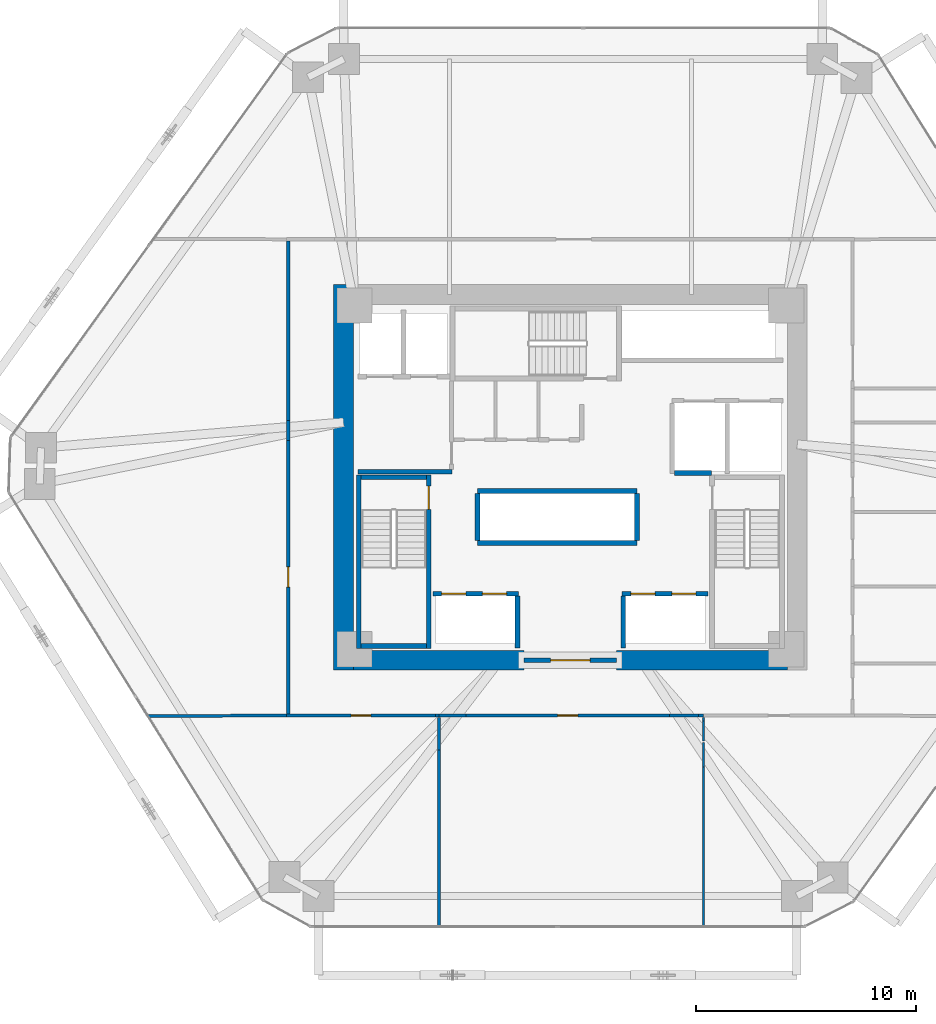
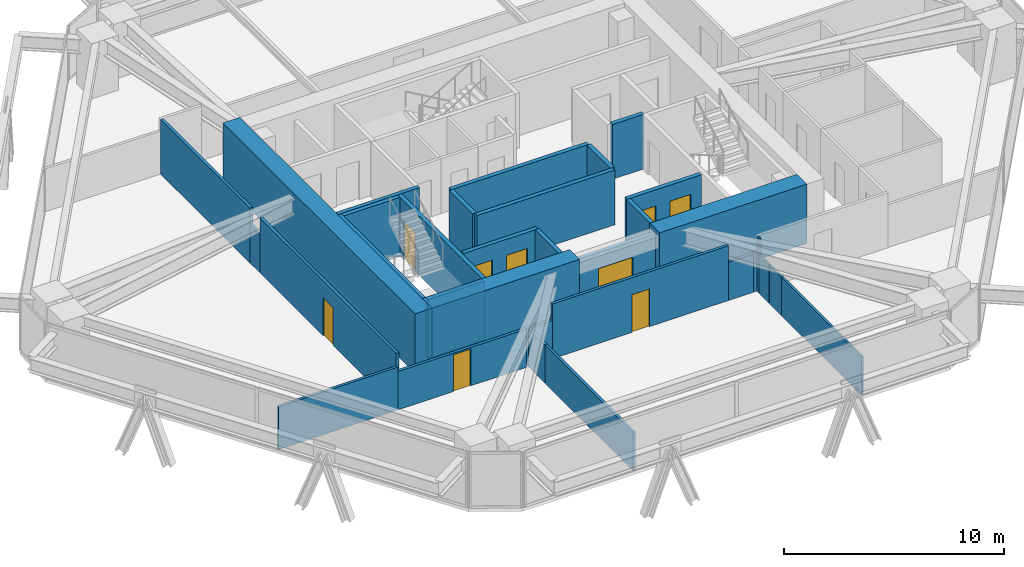
# One storey, part 13 of 16: 34 walls, 9 doors, 9 openings.
"""IFC4 building model written with IfcOpenShell, lengths in metres."""

import ifcopenshell
import ifcopenshell.guid

model = None  # the IFC model being written
_history = None  # IfcOwnerHistory: only IFC2X3 demands one
_inside = {}  # id of a spatial element -> (the spatial element, [elements in it])
_under = {}  # id of a project, library or spatial element -> (it, [spatial elements below it])
_declared = {}  # id of a project -> (the project, [libraries it declares])
_typed = {}  # id of a type object -> (the type object, [elements of that type])
_made_of = {}  # id of a material, layer set ... -> (it, [elements and type objects made of it])


def new_model(schema):
    """Start an empty IFC model of exactly this schema.

    Asked for "IFC4X3", IfcOpenShell would pick the latest addendum, in which some entities
    have other attributes; the version numbers below select the first issue.
    IFC2X3 requires an IfcOwnerHistory on every rooted entity: one is made here for all.
    """
    global model, _history
    if schema == "IFC4X3":
        model = ifcopenshell.file(schema_version=(4, 3, 0, 0))
    else:
        model = ifcopenshell.file(schema=schema)
    _inside.clear()
    _under.clear()
    _declared.clear()
    _typed.clear()
    _made_of.clear()
    _history = None
    if model.schema == "IFC2X3":
        org = make("IfcOrganization", Name="unknown")
        user = make(
            "IfcPersonAndOrganization",
            ThePerson=make("IfcPerson", FamilyName="unknown"),
            TheOrganization=org,
        )
        app = make(
            "IfcApplication",
            ApplicationDeveloper=org,
            Version="unknown",
            ApplicationFullName="unknown",
            ApplicationIdentifier="unknown",
        )
        _history = make(
            "IfcOwnerHistory",
            OwningUser=user,
            OwningApplication=app,
            ChangeAction="ADDED",
            CreationDate=0,
        )
    return model


def make(cls, **values):
    """One entity of the class cls with the attributes given. An attribute that is None is left unset."""
    return model.create_entity(
        cls, **{name: value for name, value in values.items() if value is not None}
    )


def rooted(cls, **values):
    """An entity with a GlobalId (a new one), such as an element, a storey or a relation."""
    return make(cls, GlobalId=ifcopenshell.guid.new(), OwnerHistory=_history, **values)


def si_unit(unit_type, name, prefix=None):
    """IfcSIUnit, for example si_unit("LENGTHUNIT", "METRE", prefix="MILLI")."""
    return make("IfcSIUnit", UnitType=unit_type, Prefix=prefix, Name=name)


def assignment(units):
    """IfcUnitAssignment: the units of a project."""
    return None if units is None else make("IfcUnitAssignment", Units=units)


def point(xyz):
    """IfcCartesianPoint."""
    return None if xyz is None else make("IfcCartesianPoint", Coordinates=xyz)


def direction(xyz):
    """IfcDirection."""
    return None if xyz is None else make("IfcDirection", DirectionRatios=xyz)


def frame(location, z_axis=None, x_axis=None):
    """IfcAxis2Placement3D, a coordinate frame: its origin and axes. An axis left out is left unset."""
    return make(
        "IfcAxis2Placement3D",
        Location=point(location),
        Axis=direction(z_axis),
        RefDirection=direction(x_axis),
    )


def frame_2d(location, x_axis=None):
    """IfcAxis2Placement2D, a coordinate frame in the plane: its origin and x axis."""
    return make(
        "IfcAxis2Placement2D", Location=point(location), RefDirection=direction(x_axis)
    )


def origin():
    """The frame at (0, 0, 0) with its axes left unset."""
    return frame((0.0, 0.0, 0.0))


def place(relative_to, where):
    """IfcLocalPlacement: puts the frame where relative to a parent placement (None: the world)."""
    return make(
        "IfcLocalPlacement", PlacementRelTo=relative_to, RelativePlacement=where
    )


def context(
    kind, dimensions, precision=None, world=None, true_north=None, identifier=None
):
    """IfcGeometricRepresentationContext, for example the 3D "Model" context."""
    return make(
        "IfcGeometricRepresentationContext",
        ContextIdentifier=identifier,
        ContextType=kind,
        CoordinateSpaceDimension=dimensions,
        Precision=precision,
        WorldCoordinateSystem=world,
        TrueNorth=true_north,
    )


def subcontext(parent, identifier, kind, view, scale=None):
    """IfcGeometricRepresentationSubContext, for example "Body" below "Model"."""
    return make(
        "IfcGeometricRepresentationSubContext",
        ContextIdentifier=identifier,
        ContextType=kind,
        ParentContext=parent,
        TargetScale=scale,
        TargetView=view,
    )


def project(units=None, contexts=None):
    """IfcProject with its units and contexts."""
    return rooted(
        "IfcProject",
        Name="project",
        RepresentationContexts=contexts,
        UnitsInContext=assignment(units),
    )


def spatial(cls, under=None, at=None, **own):
    """A site, building, storey or space (cls), placed at a placement, below another one or the project."""
    s = rooted(cls, ObjectPlacement=at, **own)
    if under is not None:
        _under.setdefault(under.id(), (under, []))[1].append(s)
    return s


def profile(cls, at=None, kind="AREA", **sizes):
    """A parametric profile (cls). Its sizes go by their IFC names, for example OverallWidth=200.0."""
    return make(cls, ProfileType=kind, Position=at, **sizes)


def rectangle(**sizes):
    """IfcRectangleProfileDef."""
    return profile("IfcRectangleProfileDef", **sizes)


def extrude(swept, where, along, depth):
    """IfcExtrudedAreaSolid: the profile swept, set in the frame where, extruded along a direction by depth."""
    return make(
        "IfcExtrudedAreaSolid",
        SweptArea=swept,
        Position=where,
        ExtrudedDirection=direction(along),
        Depth=depth,
    )


def shape(context_of_items, identifier, shape_type, items):
    """IfcShapeRepresentation: the items that make up one representation, for example the "Body"."""
    return make(
        "IfcShapeRepresentation",
        ContextOfItems=context_of_items,
        RepresentationIdentifier=identifier,
        RepresentationType=shape_type,
        Items=items,
    )


def source(mapping_origin, context_of_items, identifier, shape_type, items):
    """IfcRepresentationMap: a shape defined once, which mapped items show again and again."""
    return make(
        "IfcRepresentationMap",
        MappingOrigin=mapping_origin,
        MappedRepresentation=shape(context_of_items, identifier, shape_type, items),
    )


def transform(
    local_origin,
    x_axis=None,
    y_axis=None,
    z_axis=None,
    scale=None,
    scale2=None,
    scale3=None,
    uniform=True,
):
    """IfcCartesianTransformationOperator3D, or its non-uniform kind. x_axis, y_axis, z_axis: its Axis1, 2, 3."""
    if uniform:
        return make(
            "IfcCartesianTransformationOperator3D",
            Axis1=direction(x_axis),
            Axis2=direction(y_axis),
            LocalOrigin=point(local_origin),
            Scale=scale,
            Axis3=direction(z_axis),
        )
    return make(
        "IfcCartesianTransformationOperator3DnonUniform",
        Axis1=direction(x_axis),
        Axis2=direction(y_axis),
        LocalOrigin=point(local_origin),
        Scale=scale,
        Axis3=direction(z_axis),
        Scale2=scale2,
        Scale3=scale3,
    )


def mapped(mapping_source, mapping_target):
    """IfcMappedItem: shows the shape of a source again, moved by a transform."""
    return make(
        "IfcMappedItem", MappingSource=mapping_source, MappingTarget=mapping_target
    )


def material(Name=None, Category=None):
    """IfcMaterial."""
    return make("IfcMaterial", Name=Name, Category=Category)


def layer(
    of_material, thickness, ventilated=None, Name=None, Category=None, Priority=None
):
    """IfcMaterialLayer: one layer of a wall or slab, of a material (None: an air gap)."""
    return make(
        "IfcMaterialLayer",
        Material=of_material,
        LayerThickness=thickness,
        IsVentilated=ventilated,
        Name=Name,
        Category=Category,
        Priority=Priority,
    )


def layer_set(layers, Name=None):
    """IfcMaterialLayerSet."""
    return make("IfcMaterialLayerSet", MaterialLayers=layers, LayerSetName=Name)


def made_of(thing, what):
    """Note that an element or type object is made of a material, layer set ...; save() writes the relation."""
    if what is not None:
        _made_of.setdefault(what.id(), (what, []))[1].append(thing)
    return thing


def type_object(cls, material=None, **own):
    """A type object (cls), such as IfcWallType, which elements share."""
    return made_of(rooted(cls, **own), material)


def type_shapes(of_type, sources):
    """Give a type object the sources (RepresentationMaps) that its elements show as mapped items."""
    of_type.RepresentationMaps = sources


def element(
    cls,
    number,
    at=None,
    inside=None,
    cuts=None,
    type_object=None,
    material=None,
    context=None,
    identifier="Body",
    shape_type=None,
    held_by="IfcProductDefinitionShape",
    body=None,
    shapes=None,
    **own,
):
    """One element of the class cls, such as IfcWall. Its Tag is "e" and its number.

    at: its placement. inside: the storey or other place that contains it. cuts: it is an
    opening in that element (IfcRelVoidsElement). A single representation is given by context,
    identifier, shape_type and body (its items); several are given by shapes. held_by: the class
    of the entity that holds the representations. save() writes the other relations.
    """
    e = rooted(cls, Tag="e%d" % number, ObjectPlacement=at, **own)
    if body is not None:
        shapes = [shape(context, identifier, shape_type, body)]
    if shapes is not None:
        e.Representation = make(held_by, Representations=shapes)
    if inside is not None:
        _inside.setdefault(inside.id(), (inside, []))[1].append(e)
    if cuts is not None:
        rooted(
            "IfcRelVoidsElement", RelatingBuildingElement=cuts, RelatedOpeningElement=e
        )
    if type_object is not None:
        _typed.setdefault(type_object.id(), (type_object, []))[1].append(e)
    return made_of(e, material)


def fill(opening, filler):
    """IfcRelFillsElement: the door or window that sits in an opening."""
    return rooted(
        "IfcRelFillsElement",
        RelatingOpeningElement=opening,
        RelatedBuildingElement=filler,
    )


def aggregate(whole, parts):
    """IfcRelAggregates: a whole, such as a stair, and the parts it consists of."""
    return rooted("IfcRelAggregates", RelatingObject=whole, RelatedObjects=parts)


def save(model, path):
    """Write the relations noted so far, then the file.

    IfcRelAggregates (storeys below a building ...), IfcRelContainedInSpatialStructure (elements
    in a storey), IfcRelDefinesByType, IfcRelAssociatesMaterial and IfcRelDeclares: one each for
    every whole, place, type object, material and project.
    """
    for whole, parts in _under.values():
        aggregate(whole, parts)
    for where, things in _inside.values():
        rooted(
            "IfcRelContainedInSpatialStructure",
            RelatedElements=things,
            RelatingStructure=where,
        )
    for kind, things in _typed.values():
        rooted("IfcRelDefinesByType", RelatedObjects=things, RelatingType=kind)
    for what, things in _made_of.values():
        rooted("IfcRelAssociatesMaterial", RelatedObjects=things, RelatingMaterial=what)
    for by, libraries in _declared.values():
        rooted("IfcRelDeclares", RelatingContext=by, RelatedDefinitions=libraries)
    model.write(path)


model = new_model("IFC4")

# Units and contexts
model_context = context("Model", 3, precision=1e-05, world=origin(), true_north=direction((0.0, 1.0)))
body_context = subcontext(model_context, "Body", "Model", "MODEL_VIEW")
ifc_project = project(units=[si_unit("LENGTHUNIT", "METRE"), si_unit("AREAUNIT", "SQUARE_METRE"), si_unit("VOLUMEUNIT", "CUBIC_METRE"), si_unit("PLANEANGLEUNIT", "RADIAN"), si_unit("MASSUNIT", "GRAM", prefix="KILO")], contexts=[model_context])

# Site, building, storey
site_placement = place(None, origin())
site = spatial("IfcSite", under=ifc_project, at=site_placement, CompositionType="ELEMENT")
building_placement = place(site_placement, origin())
building = spatial("IfcBuilding", under=site, at=building_placement, Name="Durnholm Broadcast Tower", CompositionType="ELEMENT")
storey_placement = place(building_placement, frame((0.0, 0.0, 65.39990234375)))
storey = spatial("IfcBuildingStorey", under=building, at=storey_placement, Name="L16", CompositionType="ELEMENT", Elevation=65.39990234375)

# Walls
ifc_material_1 = material(Name="Concrete C70/85", Category="concrete")
ifc_layer_1 = layer(ifc_material_1, 0.89990234375)
ifc_layer_set_1 = layer_set([ifc_layer_1], Name="Concrete C70/85")
wall_type_1 = type_object("IfcWallType", Name="WALL-CW-900", PredefinedType="SHEAR", material=ifc_layer_set_1)
wall_1_placement = place(storey_placement, frame((-10.300048828125, -8.75, 0.0), z_axis=(0.0, 0.0, 1.0), x_axis=(0.0, 1.0, 0.0)))
element("IfcWall", 1, at=wall_1_placement, inside=storey, type_object=wall_type_1, Name="L16 central core shear wall CW-WEST", PredefinedType="SHEAR", context=body_context, shape_type="SweptSolid", body=[
    extrude(rectangle(XDim=17.5, YDim=0.89990234375, at=frame_2d((8.75, 0.0))), origin(), (0.0, 0.0, 1.0), 3.300048828125),
])
for number, where, z_axis, x_axis, name in (
    (2, (-9.85009765625, -8.300048828125, 0.0), (0.0, 0.0, 1.0), (1.0, 0.0, 0.0), "L16 central core shear wall CW-S1"),
    (3, (2.10009765625, -8.300048828125, 0.0), (0.0, 0.0, 1.0), (1.0, 0.0, 0.0), "L16 central core shear wall CW-S2"),
):
    element("IfcWall", number, at=place(storey_placement, frame(where, z_axis=z_axis, x_axis=x_axis)), inside=storey, type_object=wall_type_1, Name=name, PredefinedType="SHEAR", context=body_context, shape_type="SweptSolid", body=[
        extrude(rectangle(XDim=7.75, YDim=0.89990234375, at=frame_2d((3.875, 0.0))), origin(), (0.0, 0.0, 1.0), 3.300048828125),
    ])

# Wall, opening, door
ifc_material_2 = material(Name="Fire-Rated Gypsum Shaftwall", Category="concrete")
ifc_layer_2 = layer(ifc_material_2, 0.199951171875)
ifc_layer_set_2 = layer_set([ifc_layer_2], Name="Fire-Rated Gypsum Shaftwall")
wall_type_2 = type_object("IfcWallType", Name="WALL-LOB-200", PredefinedType="SOLIDWALL", material=ifc_layer_set_2)
wall_2_placement = place(storey_placement, frame((-2.10009765625, -8.300048828125, 0.0), z_axis=(0.0, 0.0, 1.0), x_axis=(1.0, 0.0, 0.0)))
wall_2 = element("IfcWall", 4, at=wall_2_placement, inside=storey, type_object=wall_type_2, Name="L16 south core lobby fire screen", PredefinedType="SOLIDWALL", context=body_context, shape_type="SweptSolid", body=[
    extrude(rectangle(XDim=4.2001953125, YDim=0.199951171875, at=frame_2d((2.10009765625, 0.0))), origin(), (0.0, 0.0, 1.0), 3.045166015625),
])
opening_1_placement = place(wall_2_placement, frame((1.199951171875, 0.0, 0.0)))
opening_1 = element("IfcOpeningElement", 5, at=opening_1_placement, cuts=wall_2, Name="Opening DP-60", PredefinedType="OPENING", context=body_context, shape_type="SweptSolid", body=[
    extrude(rectangle(XDim=1.800048828125, YDim=2.14990234375, at=frame_2d((0.89990234375, 1.074951171875))), frame((0.0, 0.10986328125, 0.0), z_axis=(0.0, -1.0, 0.0), x_axis=(1.0, 0.0, 0.0)), (0.0, 0.0, 1.0), 0.219970703125),
])
ifc_material_3 = material(Name="Fire-Rated Double Corridor Door", Category="steel")
ifc_layer_3 = layer(ifc_material_3, 0.050048828125)
ifc_layer_set_3 = layer_set([ifc_layer_3], Name="Fire-Rated Double Corridor Door")
door_type_1 = type_object("IfcDoorType", Name="DOOR-PAIR-FD60", OperationType="DOUBLE_DOOR_SINGLE_SWING", PredefinedType="DOOR", material=ifc_layer_set_3)
shared_shape_1 = source(origin(), body_context, "Body", "SweptSolid", [
    extrude(rectangle(XDim=1.800048828125, YDim=2.14990234375, at=frame_2d((0.89990234375, 1.074951171875))), frame((0.0, 0.02490234375, 0.0), z_axis=(0.0, -1.0, 0.0), x_axis=(1.0, 0.0, 0.0)), (0.0, 0.0, 1.0), 0.050048828125),
])
type_shapes(door_type_1, [shared_shape_1])
door_1_placement = place(opening_1_placement, origin())
door_1 = element("IfcDoor", 6, at=door_1_placement, inside=storey, type_object=door_type_1, Name="L16 south core lobby double fire door", OperationType="DOUBLE_DOOR_SINGLE_SWING", OverallHeight=2.14990234375, OverallWidth=1.800048828125, PredefinedType="DOOR", context=body_context, shape_type="MappedRepresentation", body=[
    mapped(shared_shape_1, transform((0.0, 0.0, 0.0), x_axis=(1.0, 0.0, 0.0), y_axis=(0.0, 1.0, 0.0), z_axis=(0.0, 0.0, 1.0), scale=1.0)),
])
fill(opening_1, door_1)

# Walls
wall_3_placement = place(storey_placement, frame((-9.64990234375, 0.25, 0.0), z_axis=(0.0, 0.0, 1.0), x_axis=(1.0, 0.0, 0.0)))
element("IfcWall", 7, at=wall_3_placement, inside=storey, type_object=wall_type_2, Name="L16 Fire Service Access Elevator lobby south wall", PredefinedType="SOLIDWALL", context=body_context, shape_type="SweptSolid", body=[
    extrude(rectangle(XDim=4.27001953125, YDim=0.199951171875, at=frame_2d((2.135009765625, 0.0))), origin(), (0.0, 0.0, 1.0), 3.045166015625),
])
ifc_material_4 = material(Name="Operable Acoustic Panel Partition", Category="aluminium")
ifc_layer_4 = layer(ifc_material_4, 0.110107421875)
ifc_layer_set_4 = layer_set([ifc_layer_4], Name="Operable Acoustic Panel Partition")
wall_type_3 = type_object("IfcWallType", Name="WALL-MOV-110", PredefinedType="MOVABLE", material=ifc_layer_set_4)
wall_4_placement = place(storey_placement, frame((6.0400390625, -10.888916015625, 0.0), z_axis=(0.0, 0.0, 1.0), x_axis=(0.0, -1.0, 0.0)))
element("IfcWall", 8, at=wall_4_placement, inside=storey, type_object=wall_type_3, Name="L16 room dividing partition 9.10", PredefinedType="MOVABLE", context=body_context, shape_type="SweptSolid", body=[
    extrude(rectangle(XDim=0.17333984375, YDim=0.110107421875, at=frame_2d((0.086669921875, 0.0))), origin(), (0.0, 0.0, 1.0), 3.045166015625),
])
wall_5_placement = place(storey_placement, frame((6.0400390625, -13.137451171875, 0.0), z_axis=(0.0, 0.0, 1.0), x_axis=(0.0, -1.0, 0.0)))
element("IfcWall", 9, at=wall_5_placement, inside=storey, type_object=wall_type_3, Name="L16 room dividing partition 9.10", PredefinedType="MOVABLE", context=body_context, shape_type="SweptSolid", body=[
    extrude(rectangle(XDim=7.262451171875, YDim=0.110107421875, at=frame_2d((3.63134765625, 0.0))), origin(), (0.0, 0.0, 1.0), 2.130126953125),
])
wall_6_placement = place(storey_placement, frame((6.0400390625, -11.062255859375, 0.0), z_axis=(0.0, 0.0, 1.0), x_axis=(0.0, -1.0, 0.0)))
element("IfcWall", 10, at=wall_6_placement, inside=storey, type_object=wall_type_3, Name="L16 room dividing partition 9.10", PredefinedType="MOVABLE", context=body_context, shape_type="SweptSolid", body=[
    extrude(rectangle(XDim=0.912841796875, YDim=0.110107421875, at=frame_2d((0.45654296875, 0.0))), origin(), (0.0, 0.0, 1.0), 2.130126953125),
])
wall_7_placement = place(storey_placement, frame((6.0400390625, -12.043212890625, 0.0), z_axis=(0.0, 0.0, 1.0), x_axis=(0.0, -1.0, 0.0)))
element("IfcWall", 11, at=wall_7_placement, inside=storey, type_object=wall_type_3, Name="L16 room dividing partition 9.10", PredefinedType="MOVABLE", context=body_context, shape_type="SweptSolid", body=[
    extrude(rectangle(XDim=1.09423828125, YDim=0.110107421875, at=frame_2d((0.547119140625, 0.0))), origin(), (0.0, 0.0, 1.0), 2.130126953125),
])
ifc_material_5 = material(Name="Gypsum Metal Stud Partition", Category="concrete")
ifc_layer_5 = layer(ifc_material_5, 0.135009765625)
ifc_layer_set_5 = layer_set([ifc_layer_5], Name="Gypsum Metal Stud Partition")
wall_type_4 = type_object("IfcWallType", Name="WALL-PART-135", PredefinedType="PARTITIONING", material=ifc_layer_set_5)
wall_8_placement = place(storey_placement, frame((-5.9599609375, -12.383056640625, 0.0), z_axis=(0.0, 0.0, 1.0), x_axis=(0.0, -1.0, 0.0)))
element("IfcWall", 12, at=wall_8_placement, inside=storey, type_object=wall_type_4, Name="L16 room dividing partition 8.9", PredefinedType="PARTITIONING", context=body_context, shape_type="SweptSolid", body=[
    extrude(rectangle(XDim=8.016845703125, YDim=0.135009765625, at=frame_2d((4.00830078125, 0.0))), origin(), (0.0, 0.0, 1.0), 2.130126953125),
])
wall_9_placement = place(storey_placement, frame((-5.9599609375, -10.888916015625, 0.0), z_axis=(0.0, 0.0, 1.0), x_axis=(0.0, -1.0, 0.0)))
element("IfcWall", 13, at=wall_9_placement, inside=storey, type_object=wall_type_4, Name="L16 room dividing partition 8.9", PredefinedType="PARTITIONING", context=body_context, shape_type="SweptSolid", body=[
    extrude(rectangle(XDim=1.494140625, YDim=0.135009765625, at=frame_2d((0.7470703125, 0.0))), origin(), (0.0, 0.0, 1.0), 2.130126953125),
])
wall_10_placement = place(storey_placement, frame((-19.18212890625, -10.831298828125, 0.0), z_axis=(0.0, 0.0, 1.0), x_axis=(0.999994432845, 0.003336806783, 0.0)))
element("IfcWall", 14, at=wall_10_placement, inside=storey, type_object=wall_type_4, Name="L16 room dividing partition 8.11", PredefinedType="PARTITIONING", context=body_context, shape_type="SweptSolid", body=[
    extrude(rectangle(XDim=6.292236328125, YDim=0.135009765625, at=frame_2d((3.14599609375, 0.0))), origin(), (0.0, 0.0, 1.0), 2.380126953125),
])

# Wall, opening, door
ifc_material_6 = material(Name="Acoustic Gypsum Stud Partition", Category="concrete")
ifc_layer_6 = layer(ifc_material_6, 0.14990234375)
ifc_layer_set_6 = layer_set([ifc_layer_6], Name="Acoustic Gypsum Stud Partition")
wall_type_5 = type_object("IfcWallType", Name="WALL-PART-150", PredefinedType="PARTITIONING", material=ifc_layer_set_6)
wall_11_placement = place(storey_placement, frame((-12.889892578125, -10.81005859375, 0.0), z_axis=(0.0, 0.0, 1.0), x_axis=(1.0, 0.0, 0.0)))
wall_11 = element("IfcWall", 15, at=wall_11_placement, inside=storey, type_object=wall_type_5, Name="L16 Open Plan Broadcast Workspace 3 corridor partition", PredefinedType="PARTITIONING", context=body_context, shape_type="SweptSolid", body=[
    extrude(rectangle(XDim=6.768310546875, YDim=0.14990234375, at=frame_2d((3.38427734375, 0.0))), origin(), (0.0, 0.0, 1.0), 2.130126953125),
])
opening_2_placement = place(wall_11_placement, frame((2.93408203125, 0.0, 0.0)))
opening_2 = element("IfcOpeningElement", 16, at=opening_2_placement, cuts=wall_11, Name="Opening DW-90R", PredefinedType="OPENING", context=body_context, shape_type="SweptSolid", body=[
    extrude(rectangle(XDim=0.89990234375, YDim=2.050048828125, at=frame_2d((0.449951171875, 1.02490234375))), frame((0.0, 0.0849609375, 0.0), z_axis=(0.0, -1.0, 0.0), x_axis=(1.0, 0.0, 0.0)), (0.0, 0.0, 1.0), 0.169921875),
])
ifc_material_7 = material(Name="Laminate Restroom Door", Category="steel")
ifc_layer_7 = layer(ifc_material_7, 0.050048828125)
ifc_layer_set_7 = layer_set([ifc_layer_7], Name="Laminate Restroom Door")
door_type_2 = type_object("IfcDoorType", Name="DOOR-WC-900R", OperationType="NOTDEFINED", PredefinedType="DOOR", material=ifc_layer_set_7)
shared_shape_2 = source(origin(), body_context, "Body", "SweptSolid", [
    extrude(rectangle(XDim=0.89990234375, YDim=2.050048828125, at=frame_2d((0.449951171875, 1.02490234375))), frame((0.0, 0.02490234375, 0.0), z_axis=(0.0, -1.0, 0.0), x_axis=(1.0, 0.0, 0.0)), (0.0, 0.0, 1.0), 0.050048828125),
])
type_shapes(door_type_2, [shared_shape_2])
door_2_placement = place(opening_2_placement, origin())
door_2 = element("IfcDoor", 17, at=door_2_placement, inside=storey, type_object=door_type_2, Name="L16 Open Plan Broadcast Workspace 3 entrance door", OperationType="SINGLE_SWING_RIGHT", OverallHeight=2.050048828125, OverallWidth=0.89990234375, PredefinedType="DOOR", context=body_context, shape_type="MappedRepresentation", body=[
    mapped(shared_shape_2, transform((0.0, 0.0, 0.0), x_axis=(1.0, 0.0, 0.0), y_axis=(0.0, 1.0, 0.0), z_axis=(0.0, 0.0, 1.0), scale=1.0)),
])
fill(opening_2, door_2)

# Wall
wall_12_placement = place(storey_placement, frame((-6.12158203125, -10.81005859375, 0.0), z_axis=(0.0, 0.0, 1.0), x_axis=(1.0, 0.0, 0.0)))
element("IfcWall", 18, at=wall_12_placement, inside=storey, type_object=wall_type_5, Name="L16 Open Plan Broadcast Workspace 3 corridor partition", PredefinedType="PARTITIONING", context=body_context, shape_type="SweptSolid", body=[
    extrude(rectangle(XDim=0.16162109375, YDim=0.14990234375, at=frame_2d((0.080810546875, 0.0))), origin(), (0.0, 0.0, 1.0), 2.130126953125),
])

# Wall, opening, door
wall_13_placement = place(storey_placement, frame((-4.749755859375, -10.81005859375, 0.0), z_axis=(0.0, 0.0, 1.0), x_axis=(1.0, 0.0, 0.0)))
wall_13 = element("IfcWall", 19, at=wall_13_placement, inside=storey, type_object=wall_type_5, Name="L16 Satellite Briefing Meeting Room corridor partition", PredefinedType="PARTITIONING", context=body_context, shape_type="SweptSolid", body=[
    extrude(rectangle(XDim=9.2490234375, YDim=0.14990234375, at=frame_2d((4.62451171875, 0.0))), origin(), (0.0, 0.0, 1.0), 3.045166015625),
])
opening_3_placement = place(wall_13_placement, frame((4.16455078125, 0.0, 0.0)))
opening_3 = element("IfcOpeningElement", 20, at=opening_3_placement, cuts=wall_13, Name="Opening DR-92L", PredefinedType="OPENING", context=body_context, shape_type="SweptSolid", body=[
    extrude(rectangle(XDim=0.919921875, YDim=2.10009765625, at=frame_2d((0.4599609375, 1.050048828125))), frame((0.0, 0.0849609375, 0.0), z_axis=(0.0, -1.0, 0.0), x_axis=(1.0, 0.0, 0.0)), (0.0, 0.0, 1.0), 0.169921875),
])
ifc_material_8 = material(Name="Oak Veneer Office Door", Category="wood")
ifc_layer_8 = layer(ifc_material_8, 0.050048828125)
ifc_layer_set_8 = layer_set([ifc_layer_8], Name="Oak Veneer Office Door")
door_type_3 = type_object("IfcDoorType", Name="DOOR-RM-920L", OperationType="NOTDEFINED", PredefinedType="DOOR", material=ifc_layer_set_8)
shared_shape_3 = source(origin(), body_context, "Body", "SweptSolid", [
    extrude(rectangle(XDim=0.919921875, YDim=2.10009765625, at=frame_2d((0.4599609375, 1.050048828125))), frame((0.0, 0.02490234375, 0.0), z_axis=(0.0, -1.0, 0.0), x_axis=(1.0, 0.0, 0.0)), (0.0, 0.0, 1.0), 0.050048828125),
])
type_shapes(door_type_3, [shared_shape_3])
door_3_placement = place(opening_3_placement, origin())
door_3 = element("IfcDoor", 21, at=door_3_placement, inside=storey, type_object=door_type_3, Name="L16 Satellite Briefing Meeting Room entrance door", OperationType="SINGLE_SWING_LEFT", OverallHeight=2.10009765625, OverallWidth=0.919921875, PredefinedType="DOOR", context=body_context, shape_type="MappedRepresentation", body=[
    mapped(shared_shape_3, transform((0.0, 0.0, 0.0), x_axis=(1.0, 0.0, 0.0), y_axis=(0.0, 1.0, 0.0), z_axis=(0.0, 0.0, 1.0), scale=1.0)),
])
fill(opening_3, door_3)

# Walls
wall_14_placement = place(storey_placement, frame((5.8173828125, -10.81005859375, 0.0), z_axis=(0.0, 0.0, 1.0), x_axis=(1.0, 0.0, 0.0)))
element("IfcWall", 22, at=wall_14_placement, inside=storey, type_object=wall_type_5, Name="L16 Satellite Briefing Meeting Room corridor partition", PredefinedType="PARTITIONING", context=body_context, shape_type="SweptSolid", body=[
    extrude(rectangle(XDim=0.22265625, YDim=0.14990234375, at=frame_2d((0.111328125, 0.0))), origin(), (0.0, 0.0, 1.0), 2.130126953125),
])
wall_15_placement = place(storey_placement, frame((-5.9599609375, -10.81005859375, 0.0), z_axis=(0.0, 0.0, 1.0), x_axis=(1.0, 0.0, 0.0)))
element("IfcWall", 23, at=wall_15_placement, inside=storey, type_object=wall_type_5, Name="L16 Satellite Briefing Meeting Room corridor partition", PredefinedType="PARTITIONING", context=body_context, shape_type="SweptSolid", body=[
    extrude(rectangle(XDim=1.210205078125, YDim=0.14990234375, at=frame_2d((0.60498046875, 0.0))), origin(), (0.0, 0.0, 1.0), 2.130126953125),
])
wall_16_placement = place(storey_placement, frame((4.499267578125, -10.81005859375, 0.0), z_axis=(0.0, 0.0, 1.0), x_axis=(1.0, 0.0, 0.0)))
element("IfcWall", 24, at=wall_16_placement, inside=storey, type_object=wall_type_5, Name="L16 Satellite Briefing Meeting Room corridor partition", PredefinedType="PARTITIONING", context=body_context, shape_type="SweptSolid", body=[
    extrude(rectangle(XDim=1.318115234375, YDim=0.14990234375, at=frame_2d((0.6591796875, 0.0))), origin(), (0.0, 0.0, 1.0), 2.130126953125),
])
wall_17_placement = place(storey_placement, frame((-12.81005859375, 10.73095703125, 0.0), z_axis=(0.0, 0.0, 1.0), x_axis=(0.0, -1.0, 0.0)))
element("IfcWall", 25, at=wall_17_placement, inside=storey, type_object=wall_type_5, Name="L16 Catering Kitchen corridor partition", PredefinedType="PARTITIONING", context=body_context, shape_type="SweptSolid", body=[
    extrude(rectangle(XDim=8.138671875, YDim=0.14990234375, at=frame_2d((4.0693359375, 0.0))), origin(), (0.0, 0.0, 1.0), 3.045166015625),
])

# Wall, opening, door
wall_18_placement = place(storey_placement, frame((-12.81005859375, 1.682373046875, 0.0), z_axis=(0.0, 0.0, 1.0), x_axis=(0.0, -1.0, 0.0)))
wall_18 = element("IfcWall", 26, at=wall_18_placement, inside=storey, type_object=wall_type_5, Name="L16 Catering Kitchen corridor partition", PredefinedType="PARTITIONING", context=body_context, shape_type="SweptSolid", body=[
    extrude(rectangle(XDim=12.413330078125, YDim=0.14990234375, at=frame_2d((6.20654296875, 0.0))), origin(), (0.0, 0.0, 1.0), 3.045166015625),
])
opening_4_placement = place(wall_18_placement, frame((5.74658203125, 0.0, 0.0)))
opening_4 = element("IfcOpeningElement", 27, at=opening_4_placement, cuts=wall_18, Name="Opening DR-92L", PredefinedType="OPENING", context=body_context, shape_type="SweptSolid", body=[
    extrude(rectangle(XDim=0.919921875, YDim=2.10009765625, at=frame_2d((0.4599609375, 1.050048828125))), frame((0.0, 0.0849609375, 0.0), z_axis=(0.0, -1.0, 0.0), x_axis=(1.0, 0.0, 0.0)), (0.0, 0.0, 1.0), 0.169921875),
])
door_4_placement = place(opening_4_placement, origin())
door_4 = element("IfcDoor", 28, at=door_4_placement, inside=storey, type_object=door_type_3, Name="L16 Catering Kitchen entrance door", OperationType="SINGLE_SWING_LEFT", OverallHeight=2.10009765625, OverallWidth=0.919921875, PredefinedType="DOOR", context=body_context, shape_type="MappedRepresentation", body=[
    mapped(shared_shape_3, transform((0.0, 0.0, 0.0), x_axis=(1.0, 0.0, 0.0), y_axis=(0.0, 1.0, 0.0), z_axis=(0.0, 0.0, 1.0), scale=1.0)),
])
fill(opening_4, door_4)

# Walls
wall_19_placement = place(storey_placement, frame((-12.81005859375, 2.59228515625, 0.0), z_axis=(0.0, 0.0, 1.0), x_axis=(0.0, -1.0, 0.0)))
element("IfcWall", 29, at=wall_19_placement, inside=storey, type_object=wall_type_5, Name="L16 Catering Kitchen corridor partition", PredefinedType="PARTITIONING", context=body_context, shape_type="SweptSolid", body=[
    extrude(rectangle(XDim=0.909912109375, YDim=0.14990234375, at=frame_2d((0.455078125, 0.0))), origin(), (0.0, 0.0, 1.0), 2.130126953125),
])
ifc_material_9 = material(Name="Concrete Blockwork C30/37", Category="masonry")
ifc_layer_9 = layer(ifc_material_9, 0.219970703125)
ifc_layer_set_9 = layer_set([ifc_layer_9], Name="Concrete Blockwork C30/37")
wall_type_6 = type_object("IfcWallType", Name="WALL-SHAFT-220", PredefinedType="SOLIDWALL", material=ifc_layer_set_9)
wall_20_placement = place(storey_placement, frame((4.73388671875, 0.199951171875, 0.0), z_axis=(0.0, 0.0, 1.0), x_axis=(1.0, 0.0, 0.0)))
element("IfcWall", 30, at=wall_20_placement, inside=storey, type_object=wall_type_6, Name="L16 freight service lift SVL-2 south wall", PredefinedType="SOLIDWALL", context=body_context, shape_type="SweptSolid", body=[
    extrude(rectangle(XDim=1.666015625, YDim=0.219970703125, at=frame_2d((0.8330078125, 0.0))), origin(), (0.0, 0.0, 1.0), 3.045166015625),
])

# Wall, openings, doors
wall_21_placement = place(storey_placement, frame((-6.25, -5.280029296875, 0.0), z_axis=(0.0, 0.0, 1.0), x_axis=(1.0, 0.0, 0.0)))
wall_21 = element("IfcWall", 31, at=wall_21_placement, inside=storey, type_object=wall_type_6, Name="L16 low-rise bank P1 west front wall", PredefinedType="SOLIDWALL", context=body_context, shape_type="SweptSolid", body=[
    extrude(rectangle(XDim=3.89990234375, YDim=0.219970703125, at=frame_2d((1.949951171875, 0.0))), origin(), (0.0, 0.0, 1.0), 3.045166015625),
])
opening_5_placement = place(wall_21_placement, frame((0.39990234375, 0.0, 0.0)))
opening_5 = element("IfcOpeningElement", 32, at=opening_5_placement, cuts=wall_21, Name="Opening LD-LP1-1", PredefinedType="OPENING", context=body_context, shape_type="SweptSolid", body=[
    extrude(rectangle(XDim=1.10009765625, YDim=2.14990234375, at=frame_2d((0.550048828125, 1.074951171875))), frame((0.0, 0.1201171875, 0.0), z_axis=(0.0, -1.0, 0.0), x_axis=(1.0, 0.0, 0.0)), (0.0, 0.0, 1.0), 0.239990234375),
])
opening_6_placement = place(wall_21_placement, frame((2.25, 0.0, 0.0)))
opening_6 = element("IfcOpeningElement", 33, at=opening_6_placement, cuts=wall_21, Name="Opening LD-LP1-2", PredefinedType="OPENING", context=body_context, shape_type="SweptSolid", body=[
    extrude(rectangle(XDim=1.10009765625, YDim=2.14990234375, at=frame_2d((0.550048828125, 1.074951171875))), frame((0.0, 0.1201171875, 0.0), z_axis=(0.0, -1.0, 0.0), x_axis=(1.0, 0.0, 0.0)), (0.0, 0.0, 1.0), 0.239990234375),
])
ifc_material_10 = material(Name="Stainless Steel Sliding Elevator Landing Door", Category="steel")
ifc_layer_10 = layer(ifc_material_10, 0.050048828125)
ifc_layer_set_10 = layer_set([ifc_layer_10], Name="Stainless Steel Sliding Elevator Landing Door")
door_type_4 = type_object("IfcDoorType", Name="DOOR-LIFT-PAX", OperationType="DOUBLE_DOOR_SLIDING", PredefinedType="DOOR", material=ifc_layer_set_10)
shared_shape_4 = source(origin(), body_context, "Body", "SweptSolid", [
    extrude(rectangle(XDim=1.10009765625, YDim=2.14990234375, at=frame_2d((0.550048828125, 1.074951171875))), frame((0.0, 0.02490234375, 0.0), z_axis=(0.0, -1.0, 0.0), x_axis=(1.0, 0.0, 0.0)), (0.0, 0.0, 1.0), 0.050048828125),
])
type_shapes(door_type_4, [shared_shape_4])
door_5_placement = place(opening_5_placement, origin())
door_5 = element("IfcDoor", 34, at=door_5_placement, inside=storey, type_object=door_type_4, Name="L16 passenger elevator LP1-1 sliding landing door", OperationType="DOUBLE_DOOR_SLIDING", OverallHeight=2.14990234375, OverallWidth=1.10009765625, PredefinedType="DOOR", context=body_context, shape_type="MappedRepresentation", body=[
    mapped(shared_shape_4, transform((0.0, 0.0, 0.0), x_axis=(1.0, 0.0, 0.0), y_axis=(0.0, 1.0, 0.0), z_axis=(0.0, 0.0, 1.0), scale=1.0)),
])
fill(opening_5, door_5)
door_6_placement = place(opening_6_placement, origin())
door_6 = element("IfcDoor", 35, at=door_6_placement, inside=storey, type_object=door_type_4, Name="L16 passenger elevator LP1-2 sliding landing door", OperationType="DOUBLE_DOOR_SLIDING", OverallHeight=2.14990234375, OverallWidth=1.10009765625, PredefinedType="DOOR", context=body_context, shape_type="MappedRepresentation", body=[
    mapped(shared_shape_4, transform((0.0, 0.0, 0.0), x_axis=(1.0, 0.0, 0.0), y_axis=(0.0, 1.0, 0.0), z_axis=(0.0, 0.0, 1.0), scale=1.0)),
])
fill(opening_6, door_6)

wall_22_placement = place(storey_placement, frame((2.35009765625, -5.280029296875, 0.0), z_axis=(0.0, 0.0, 1.0), x_axis=(1.0, 0.0, 0.0)))
wall_22 = element("IfcWall", 36, at=wall_22_placement, inside=storey, type_object=wall_type_6, Name="L16 low-rise bank P1 east front wall", PredefinedType="SOLIDWALL", context=body_context, shape_type="SweptSolid", body=[
    extrude(rectangle(XDim=3.89990234375, YDim=0.219970703125, at=frame_2d((1.949951171875, 0.0))), origin(), (0.0, 0.0, 1.0), 3.045166015625),
])
opening_7_placement = place(wall_22_placement, frame((0.39990234375, 0.0, 0.0)))
opening_7 = element("IfcOpeningElement", 37, at=opening_7_placement, cuts=wall_22, Name="Opening LD-LP1-3", PredefinedType="OPENING", context=body_context, shape_type="SweptSolid", body=[
    extrude(rectangle(XDim=1.10009765625, YDim=2.14990234375, at=frame_2d((0.550048828125, 1.074951171875))), frame((0.0, 0.1201171875, 0.0), z_axis=(0.0, -1.0, 0.0), x_axis=(1.0, 0.0, 0.0)), (0.0, 0.0, 1.0), 0.239990234375),
])
opening_8_placement = place(wall_22_placement, frame((2.25, 0.0, 0.0)))
opening_8 = element("IfcOpeningElement", 38, at=opening_8_placement, cuts=wall_22, Name="Opening LD-LP1-4", PredefinedType="OPENING", context=body_context, shape_type="SweptSolid", body=[
    extrude(rectangle(XDim=1.10009765625, YDim=2.14990234375, at=frame_2d((0.550048828125, 1.074951171875))), frame((0.0, 0.1201171875, 0.0), z_axis=(0.0, -1.0, 0.0), x_axis=(1.0, 0.0, 0.0)), (0.0, 0.0, 1.0), 0.239990234375),
])
door_7_placement = place(opening_7_placement, origin())
door_7 = element("IfcDoor", 39, at=door_7_placement, inside=storey, type_object=door_type_4, Name="L16 passenger elevator LP1-3 sliding landing door", OperationType="DOUBLE_DOOR_SLIDING", OverallHeight=2.14990234375, OverallWidth=1.10009765625, PredefinedType="DOOR", context=body_context, shape_type="MappedRepresentation", body=[
    mapped(shared_shape_4, transform((0.0, 0.0, 0.0), x_axis=(1.0, 0.0, 0.0), y_axis=(0.0, 1.0, 0.0), z_axis=(0.0, 0.0, 1.0), scale=1.0)),
])
fill(opening_7, door_7)
door_8_placement = place(opening_8_placement, origin())
door_8 = element("IfcDoor", 40, at=door_8_placement, inside=storey, type_object=door_type_4, Name="L16 passenger elevator LP1-4 sliding landing door", OperationType="DOUBLE_DOOR_SLIDING", OverallHeight=2.14990234375, OverallWidth=1.10009765625, PredefinedType="DOOR", context=body_context, shape_type="MappedRepresentation", body=[
    mapped(shared_shape_4, transform((0.0, 0.0, 0.0), x_axis=(1.0, 0.0, 0.0), y_axis=(0.0, 1.0, 0.0), z_axis=(0.0, 0.0, 1.0), scale=1.0)),
])
fill(opening_8, door_8)

# Walls
for number, where, z_axis, x_axis, name in (
    (41, (-2.39990234375, -7.75, 0.0), (0.0, 0.0, 1.0), (0.0, 1.0, 0.0), "L16 low-rise bank P1 west mouth wall"),
    (42, (2.39990234375, -7.75, 0.0), (0.0, 0.0, 1.0), (0.0, 1.0, 0.0), "L16 low-rise bank P1 east mouth wall"),
):
    element("IfcWall", number, at=place(storey_placement, frame(where, z_axis=z_axis, x_axis=x_axis)), inside=storey, type_object=wall_type_6, Name=name, PredefinedType="SOLIDWALL", context=body_context, shape_type="SweptSolid", body=[
        extrude(rectangle(XDim=2.35595703125, YDim=0.219970703125, at=frame_2d((1.177978515625, 0.0))), origin(), (0.0, 0.0, 1.0), 3.045166015625),
    ])
for number, where, z_axis, x_axis, name in (
    (43, (-4.219970703125, -2.97998046875, 0.0), (0.0, 0.0, 1.0), (1.0, 0.0, 0.0), "L16 mid-rise bank P2 south front wall"),
    (44, (-4.219970703125, -0.6201171875, 0.0), (0.0, 0.0, 1.0), (1.0, 0.0, 0.0), "L16 mid-rise bank P2 north shaft wall"),
):
    element("IfcWall", number, at=place(storey_placement, frame(where, z_axis=z_axis, x_axis=x_axis)), inside=storey, type_object=wall_type_6, Name=name, PredefinedType="SOLIDWALL", context=body_context, shape_type="SweptSolid", body=[
        extrude(rectangle(XDim=7.239990234375, YDim=0.219970703125, at=frame_2d((3.6201171875, 0.0))), origin(), (0.0, 0.0, 1.0), 3.045166015625),
    ])
for number, where, z_axis, x_axis, name in (
    (45, (-4.219970703125, -2.865966796875, 0.0), (0.0, 0.0, 1.0), (0.0, 1.0, 0.0), "L16 mid-rise bank P2 west shaft wall"),
    (46, (3.02001953125, -2.865966796875, 0.0), (0.0, 0.0, 1.0), (0.0, 1.0, 0.0), "L16 mid-rise bank P2 east shaft wall"),
):
    element("IfcWall", number, at=place(storey_placement, frame(where, z_axis=z_axis, x_axis=x_axis)), inside=storey, type_object=wall_type_6, Name=name, PredefinedType="SOLIDWALL", context=body_context, shape_type="SweptSolid", body=[
        extrude(rectangle(XDim=2.132080078125, YDim=0.219970703125, at=frame_2d((1.06591796875, 0.0))), origin(), (0.0, 0.0, 1.0), 3.045166015625),
    ])

# Wall, opening, door
ifc_material_11 = material(Name="Concrete C50/60", Category="concrete")
ifc_layer_11 = layer(ifc_material_11, 0.219970703125)
ifc_layer_set_11 = layer_set([ifc_layer_11], Name="Concrete C50/60")
wall_type_7 = type_object("IfcWallType", Name="WALL-SW-220", PredefinedType="SHEAR", material=ifc_layer_set_11)
wall_23_placement = place(storey_placement, frame((-6.429931640625, -7.77001953125, -0.239990234375), z_axis=(0.0, 0.0, 1.0), x_axis=(0.0, 1.0, 0.0)))
wall_23 = element("IfcWall", 47, at=wall_23_placement, inside=storey, type_object=wall_type_7, Name="L16 stair ST-1 structural shaft wall E", PredefinedType="SHEAR", context=body_context, shape_type="SweptSolid", body=[
    extrude(rectangle(XDim=7.89013671875, YDim=0.219970703125, at=frame_2d((3.945068359375, 0.0))), origin(), (0.0, 0.0, 1.0), 3.300048828125),
])
opening_9_placement = place(wall_23_placement, frame((6.320068359375, 0.0, 0.0)))
opening_9 = element("IfcOpeningElement", 48, at=opening_9_placement, cuts=wall_23, Name="Opening DS-90L", PredefinedType="OPENING", context=body_context, shape_type="SweptSolid", body=[
    extrude(rectangle(XDim=1.050048828125, YDim=2.14990234375, at=frame_2d((0.52490234375, 1.074951171875))), frame((0.0, 0.1201171875, 0.0), z_axis=(0.0, -1.0, 0.0), x_axis=(1.0, 0.0, 0.0)), (0.0, 0.0, 1.0), 0.239990234375),
])
ifc_material_12 = material(Name="Fire-Rated Steel Door", Category="steel")
ifc_layer_12 = layer(ifc_material_12, 0.050048828125)
ifc_layer_set_12 = layer_set([ifc_layer_12], Name="Fire-Rated Steel Door")
door_type_5 = type_object("IfcDoorType", Name="DOOR-ST-FD90-L", OperationType="NOTDEFINED", PredefinedType="DOOR", material=ifc_layer_set_12)
shared_shape_5 = source(origin(), body_context, "Body", "SweptSolid", [
    extrude(rectangle(XDim=1.050048828125, YDim=2.14990234375, at=frame_2d((0.52490234375, 1.074951171875))), frame((0.0, 0.02490234375, 0.0), z_axis=(0.0, -1.0, 0.0), x_axis=(1.0, 0.0, 0.0)), (0.0, 0.0, 1.0), 0.050048828125),
])
type_shapes(door_type_5, [shared_shape_5])
door_9_placement = place(opening_9_placement, origin())
door_9 = element("IfcDoor", 49, at=door_9_placement, inside=storey, type_object=door_type_5, Name="L16 exit stair ST-1 fire door", OperationType="SINGLE_SWING_LEFT", OverallHeight=2.14990234375, OverallWidth=1.050048828125, PredefinedType="DOOR", context=body_context, shape_type="MappedRepresentation", body=[
    mapped(shared_shape_5, transform((0.0, 0.0, 0.0), x_axis=(1.0, 0.0, 0.0), y_axis=(0.0, 1.0, 0.0), z_axis=(0.0, 0.0, 1.0), scale=1.0)),
])
fill(opening_9, door_9)

# Walls
wall_24_placement = place(storey_placement, frame((-9.610107421875, 0.1201171875, -0.239990234375), z_axis=(0.0, 0.0, 1.0), x_axis=(0.0, -1.0, 0.0)))
element("IfcWall", 50, at=wall_24_placement, inside=storey, type_object=wall_type_7, Name="L16 stair ST-1 structural shaft wall W", PredefinedType="SHEAR", context=body_context, shape_type="SweptSolid", body=[
    extrude(rectangle(XDim=7.89013671875, YDim=0.219970703125, at=frame_2d((3.945068359375, 0.0))), origin(), (0.0, 0.0, 1.0), 3.300048828125),
])
for number, where, z_axis, x_axis, name in (
    (51, (-9.5, -7.659912109375, -0.239990234375), (0.0, 0.0, 1.0), (1.0, 0.0, 0.0), "L16 stair ST-1 structural shaft wall S"),
    (52, (-6.5400390625, 0.010009765625, -0.239990234375), (0.0, 0.0, 1.0), (-1.0, 0.0, 0.0), "L16 stair ST-1 structural shaft wall N"),
):
    element("IfcWall", number, at=place(storey_placement, frame(where, z_axis=z_axis, x_axis=x_axis)), inside=storey, type_object=wall_type_7, Name=name, PredefinedType="SHEAR", context=body_context, shape_type="SweptSolid", body=[
        extrude(rectangle(XDim=2.9599609375, YDim=0.219970703125, at=frame_2d((1.47998046875, 0.0))), origin(), (0.0, 0.0, 1.0), 3.300048828125),
    ])

save(model, "model.ifc")
